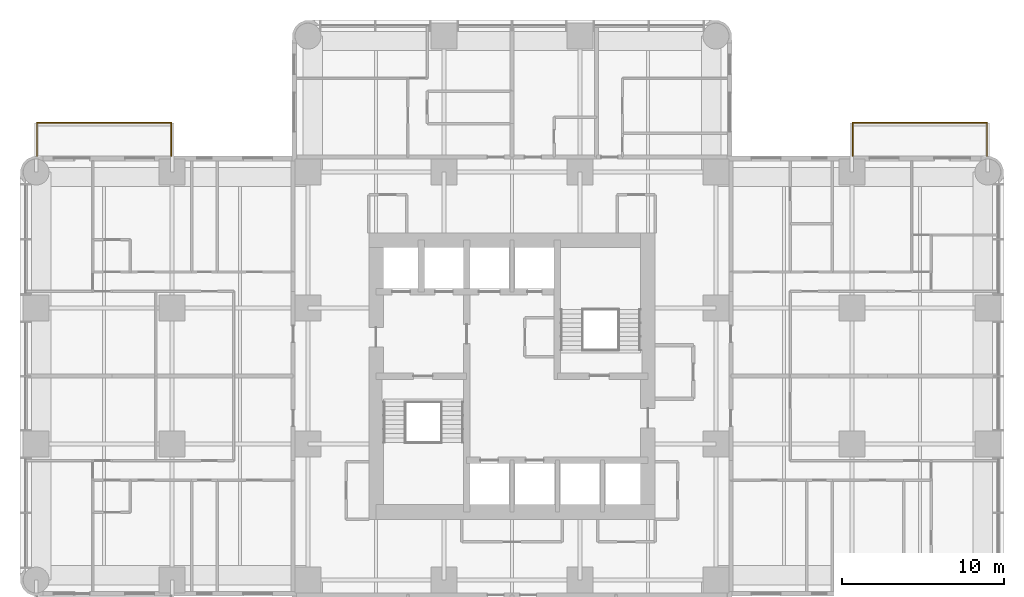
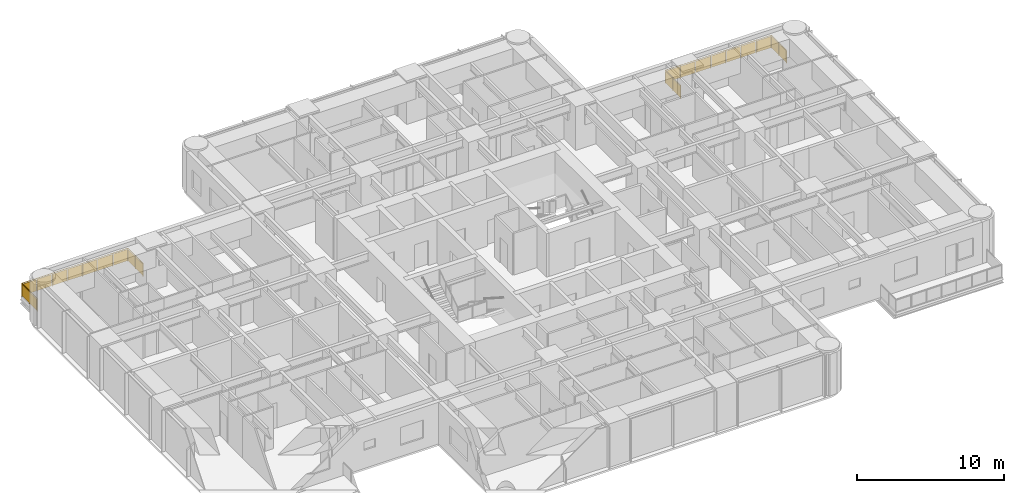
# One storey, part 15 of 15: 2 railings.
"""IFC4 building model written with IfcOpenShell, lengths in metres."""

from ifc_helpers import new_model, si_unit, direction, frame, origin, origin_2d, place, context, subcontext, project, spatial, polyline, circle, outline, extrude, material, constituent, constituent_set, type_object, element, save


model = new_model("IFC4")

# Units and contexts
model_context = context("Model", 3, precision=1e-05, world=origin(), true_north=direction((0.0, 1.0)))
body_context = subcontext(model_context, "Body", "Model", "MODEL_VIEW")
ifc_project = project(units=[si_unit("LENGTHUNIT", "METRE"), si_unit("AREAUNIT", "SQUARE_METRE"), si_unit("VOLUMEUNIT", "CUBIC_METRE"), si_unit("PLANEANGLEUNIT", "RADIAN"), si_unit("MASSUNIT", "GRAM", prefix="KILO")], contexts=[model_context])

# Site, building, storey
site_placement = place(None, origin())
site = spatial("IfcSite", under=ifc_project, at=site_placement, CompositionType="ELEMENT")
building_placement = place(site_placement, origin())
building = spatial("IfcBuilding", under=site, at=building_placement, Name="Torre Alcanfor", CompositionType="ELEMENT")
storey_placement = place(building_placement, frame((0.0, 0.0, 148.5)))
storey = spatial("IfcBuildingStorey", under=building, at=storey_placement, Name="L38", CompositionType="ELEMENT", Elevation=148.5)

# Railings
ifc_material_1 = material(Name="Laminated safety glass", Category="glass")
ifc_constituent_1 = constituent(ifc_material_1, Name="Infill")
ifc_material_2 = material(Name="Stainless steel ASTM A554 Grade MT 316L tube", Category="steel")
ifc_constituent_2 = constituent(ifc_material_2, Name="Posts and rail")
ifc_constituent_set = constituent_set(constituents=[ifc_constituent_1, ifc_constituent_2], Name="Balcony guard glass 1100")
railing_type = type_object("IfcRailingType", Name="Balcony guard glass 1100", PredefinedType="BALUSTRADE", material=ifc_constituent_set)
railing_1_placement = place(storey_placement, frame((50.449951171875, 43.0, 0.0)))
element("IfcRailing", 1, at=railing_1_placement, inside=storey, type_object=railing_type, Name="Balcony guard L38-E1", PredefinedType="BALUSTRADE", context=body_context, shape_type="SweptSolid", body=[
    extrude(circle(Radius=0.02392578125, at=origin_2d()), frame((0.0, 0.0, 1.076171875), z_axis=(0.0, 1.0, 0.0), x_axis=(-1.0, 0.0, 0.0)), (0.0, 0.0, 1.0), 2.050048828125),
    extrude(circle(Radius=0.02392578125, at=origin_2d()), frame((0.0, 2.050048828125, 1.076171875), z_axis=(1.0, 0.0, 0.0), x_axis=(0.0, 1.0, 0.0)), (0.0, 0.0, 1.0), 8.300048828125),
    extrude(circle(Radius=0.02392578125, at=origin_2d()), frame((8.300048828125, 2.050048828125, 1.076171875), z_axis=(0.0, -1.0, 0.0), x_axis=(1.0, 0.0, 0.0)), (0.0, 0.0, 1.0), 2.050048828125),
    extrude(circle(Radius=0.02099609375, at=origin_2d()), origin(), (0.0, 0.0, 1.0), 1.052001953125),
    extrude(circle(Radius=0.02099609375, at=origin_2d()), frame((0.0, 1.02490234375, 0.0)), (0.0, 0.0, 1.0), 1.052001953125),
    extrude(circle(Radius=0.02099609375, at=origin_2d()), frame((0.0, 2.050048828125, 0.0)), (0.0, 0.0, 1.0), 1.052001953125),
    extrude(circle(Radius=0.02099609375, at=origin_2d()), frame((1.185791015625, 2.050048828125, 0.0)), (0.0, 0.0, 1.0), 1.052001953125),
    extrude(circle(Radius=0.02099609375, at=origin_2d()), frame((2.371337890625, 2.050048828125, 0.0)), (0.0, 0.0, 1.0), 1.052001953125),
    extrude(circle(Radius=0.02099609375, at=origin_2d()), frame((3.55712890625, 2.050048828125, 0.0)), (0.0, 0.0, 1.0), 1.052001953125),
    extrude(circle(Radius=0.02099609375, at=origin_2d()), frame((4.742919921875, 2.050048828125, 0.0)), (0.0, 0.0, 1.0), 1.052001953125),
    extrude(circle(Radius=0.02099609375, at=origin_2d()), frame((5.9287109375, 2.050048828125, 0.0)), (0.0, 0.0, 1.0), 1.052001953125),
    extrude(circle(Radius=0.02099609375, at=origin_2d()), frame((7.1142578125, 2.050048828125, 0.0)), (0.0, 0.0, 1.0), 1.052001953125),
    extrude(circle(Radius=0.02099609375, at=origin_2d()), frame((8.300048828125, 2.050048828125, 0.0)), (0.0, 0.0, 1.0), 1.052001953125),
    extrude(circle(Radius=0.02099609375, at=origin_2d()), frame((8.300048828125, 1.02490234375, 0.0)), (0.0, 0.0, 1.0), 1.052001953125),
    extrude(circle(Radius=0.02099609375, at=origin_2d()), frame((8.300048828125, 0.0, 0.0)), (0.0, 0.0, 1.0), 1.052001953125),
    extrude(outline(polyline([(0.041015625, 0.050048828125), (0.984130859375, 0.050048828125), (0.984130859375, 1.001953125), (0.041015625, 1.001953125), (0.041015625, 0.050048828125)])), frame((-0.005859375, 0.0, 0.0), z_axis=(1.0, 0.0, 0.0), x_axis=(0.0, 1.0, 0.0)), (0.0, 0.0, 1.0), 0.011962890625),
    extrude(outline(polyline([(1.06591796875, 0.050048828125), (2.009033203125, 0.050048828125), (2.009033203125, 1.001953125), (1.06591796875, 1.001953125), (1.06591796875, 0.050048828125)])), frame((-0.005859375, 0.0, 0.0), z_axis=(1.0, 0.0, 0.0), x_axis=(0.0, 1.0, 0.0)), (0.0, 0.0, 1.0), 0.011962890625),
    extrude(outline(polyline([(0.041015625, 0.050048828125), (1.144775390625, 0.050048828125), (1.144775390625, 1.001953125), (0.041015625, 1.001953125), (0.041015625, 0.050048828125)])), frame((0.0, 2.05615234375, 0.0), z_axis=(0.0, -1.0, 0.0), x_axis=(1.0, 0.0, 0.0)), (0.0, 0.0, 1.0), 0.011962890625),
    extrude(outline(polyline([(1.226806640625, 0.050048828125), (2.330322265625, 0.050048828125), (2.330322265625, 1.001953125), (1.226806640625, 1.001953125), (1.226806640625, 0.050048828125)])), frame((0.0, 2.05615234375, 0.0), z_axis=(0.0, -1.0, 0.0), x_axis=(1.0, 0.0, 0.0)), (0.0, 0.0, 1.0), 0.011962890625),
    extrude(outline(polyline([(2.412353515625, 0.050048828125), (3.51611328125, 0.050048828125), (3.51611328125, 1.001953125), (2.412353515625, 1.001953125), (2.412353515625, 0.050048828125)])), frame((0.0, 2.05615234375, 0.0), z_axis=(0.0, -1.0, 0.0), x_axis=(1.0, 0.0, 0.0)), (0.0, 0.0, 1.0), 0.011962890625),
    extrude(outline(polyline([(3.59814453125, 0.050048828125), (4.701904296875, 0.050048828125), (4.701904296875, 1.001953125), (3.59814453125, 1.001953125), (3.59814453125, 0.050048828125)])), frame((0.0, 2.05615234375, 0.0), z_axis=(0.0, -1.0, 0.0), x_axis=(1.0, 0.0, 0.0)), (0.0, 0.0, 1.0), 0.011962890625),
    extrude(outline(polyline([(4.783935546875, 0.050048828125), (5.8876953125, 0.050048828125), (5.8876953125, 1.001953125), (4.783935546875, 1.001953125), (4.783935546875, 0.050048828125)])), frame((0.0, 2.05615234375, 0.0), z_axis=(0.0, -1.0, 0.0), x_axis=(1.0, 0.0, 0.0)), (0.0, 0.0, 1.0), 0.011962890625),
    extrude(outline(polyline([(5.9697265625, 0.050048828125), (7.0732421875, 0.050048828125), (7.0732421875, 1.001953125), (5.9697265625, 1.001953125), (5.9697265625, 0.050048828125)])), frame((0.0, 2.05615234375, 0.0), z_axis=(0.0, -1.0, 0.0), x_axis=(1.0, 0.0, 0.0)), (0.0, 0.0, 1.0), 0.011962890625),
    extrude(outline(polyline([(7.1552734375, 0.050048828125), (8.259033203125, 0.050048828125), (8.259033203125, 1.001953125), (7.1552734375, 1.001953125), (7.1552734375, 0.050048828125)])), frame((0.0, 2.05615234375, 0.0), z_axis=(0.0, -1.0, 0.0), x_axis=(1.0, 0.0, 0.0)), (0.0, 0.0, 1.0), 0.011962890625),
    extrude(outline(polyline([(0.041015625, 0.050048828125), (0.984130859375, 0.050048828125), (0.984130859375, 1.001953125), (0.041015625, 1.001953125), (0.041015625, 0.050048828125)])), frame((8.30615234375, 2.050048828125, 0.0), z_axis=(-1.0, 0.0, 0.0), x_axis=(0.0, -1.0, 0.0)), (0.0, 0.0, 1.0), 0.011962890625),
    extrude(outline(polyline([(1.06591796875, 0.050048828125), (2.009033203125, 0.050048828125), (2.009033203125, 1.001953125), (1.06591796875, 1.001953125), (1.06591796875, 0.050048828125)])), frame((8.30615234375, 2.050048828125, 0.0), z_axis=(-1.0, 0.0, 0.0), x_axis=(0.0, -1.0, 0.0)), (0.0, 0.0, 1.0), 0.011962890625),
])
railing_2_placement = place(storey_placement, frame((8.35009765625, 43.0, 0.0)))
element("IfcRailing", 2, at=railing_2_placement, inside=storey, type_object=railing_type, Name="Balcony guard L38-W2", PredefinedType="BALUSTRADE", context=body_context, shape_type="SweptSolid", body=[
    extrude(circle(Radius=0.02392578125, at=origin_2d()), frame((0.0, 0.0, 1.076171875), z_axis=(0.0, 1.0, 0.0), x_axis=(-1.0, 0.0, 0.0)), (0.0, 0.0, 1.0), 2.050048828125),
    extrude(circle(Radius=0.02392578125, at=origin_2d()), frame((0.0, 2.050048828125, 1.076171875), z_axis=(-1.0, 0.0, 0.0), x_axis=(0.0, -1.0, 0.0)), (0.0, 0.0, 1.0), 8.300048828125),
    extrude(circle(Radius=0.02392578125, at=origin_2d()), frame((-8.300048828125, 2.050048828125, 1.076171875), z_axis=(0.0, -1.0, 0.0), x_axis=(1.0, 0.0, 0.0)), (0.0, 0.0, 1.0), 2.050048828125),
    extrude(circle(Radius=0.02099609375, at=origin_2d()), origin(), (0.0, 0.0, 1.0), 1.052001953125),
    extrude(circle(Radius=0.02099609375, at=origin_2d()), frame((0.0, 1.02490234375, 0.0)), (0.0, 0.0, 1.0), 1.052001953125),
    extrude(circle(Radius=0.02099609375, at=origin_2d()), frame((0.0, 2.050048828125, 0.0)), (0.0, 0.0, 1.0), 1.052001953125),
    extrude(circle(Radius=0.02099609375, at=origin_2d()), frame((-1.185791015625, 2.050048828125, 0.0)), (0.0, 0.0, 1.0), 1.052001953125),
    extrude(circle(Radius=0.02099609375, at=origin_2d()), frame((-2.371337890625, 2.050048828125, 0.0)), (0.0, 0.0, 1.0), 1.052001953125),
    extrude(circle(Radius=0.02099609375, at=origin_2d()), frame((-3.55712890625, 2.050048828125, 0.0)), (0.0, 0.0, 1.0), 1.052001953125),
    extrude(circle(Radius=0.02099609375, at=origin_2d()), frame((-4.742919921875, 2.050048828125, 0.0)), (0.0, 0.0, 1.0), 1.052001953125),
    extrude(circle(Radius=0.02099609375, at=origin_2d()), frame((-5.9287109375, 2.050048828125, 0.0)), (0.0, 0.0, 1.0), 1.052001953125),
    extrude(circle(Radius=0.02099609375, at=origin_2d()), frame((-7.1142578125, 2.050048828125, 0.0)), (0.0, 0.0, 1.0), 1.052001953125),
    extrude(circle(Radius=0.02099609375, at=origin_2d()), frame((-8.300048828125, 2.050048828125, 0.0)), (0.0, 0.0, 1.0), 1.052001953125),
    extrude(circle(Radius=0.02099609375, at=origin_2d()), frame((-8.300048828125, 1.02490234375, 0.0)), (0.0, 0.0, 1.0), 1.052001953125),
    extrude(circle(Radius=0.02099609375, at=origin_2d()), frame((-8.300048828125, 0.0, 0.0)), (0.0, 0.0, 1.0), 1.052001953125),
    extrude(outline(polyline([(0.041015625, 0.050048828125), (0.984130859375, 0.050048828125), (0.984130859375, 1.001953125), (0.041015625, 1.001953125), (0.041015625, 0.050048828125)])), frame((-0.005859375, 0.0, 0.0), z_axis=(1.0, 0.0, 0.0), x_axis=(0.0, 1.0, 0.0)), (0.0, 0.0, 1.0), 0.011962890625),
    extrude(outline(polyline([(1.06591796875, 0.050048828125), (2.009033203125, 0.050048828125), (2.009033203125, 1.001953125), (1.06591796875, 1.001953125), (1.06591796875, 0.050048828125)])), frame((-0.005859375, 0.0, 0.0), z_axis=(1.0, 0.0, 0.0), x_axis=(0.0, 1.0, 0.0)), (0.0, 0.0, 1.0), 0.011962890625),
    extrude(outline(polyline([(0.041015625, 0.050048828125), (1.144775390625, 0.050048828125), (1.144775390625, 1.001953125), (0.041015625, 1.001953125), (0.041015625, 0.050048828125)])), frame((0.0, 2.0439453125, 0.0), z_axis=(0.0, 1.0, 0.0), x_axis=(-1.0, 0.0, 0.0)), (0.0, 0.0, 1.0), 0.011962890625),
    extrude(outline(polyline([(1.226806640625, 0.050048828125), (2.330322265625, 0.050048828125), (2.330322265625, 1.001953125), (1.226806640625, 1.001953125), (1.226806640625, 0.050048828125)])), frame((0.0, 2.0439453125, 0.0), z_axis=(0.0, 1.0, 0.0), x_axis=(-1.0, 0.0, 0.0)), (0.0, 0.0, 1.0), 0.011962890625),
    extrude(outline(polyline([(2.412353515625, 0.050048828125), (3.51611328125, 0.050048828125), (3.51611328125, 1.001953125), (2.412353515625, 1.001953125), (2.412353515625, 0.050048828125)])), frame((0.0, 2.0439453125, 0.0), z_axis=(0.0, 1.0, 0.0), x_axis=(-1.0, 0.0, 0.0)), (0.0, 0.0, 1.0), 0.011962890625),
    extrude(outline(polyline([(3.59814453125, 0.050048828125), (4.701904296875, 0.050048828125), (4.701904296875, 1.001953125), (3.59814453125, 1.001953125), (3.59814453125, 0.050048828125)])), frame((0.0, 2.0439453125, 0.0), z_axis=(0.0, 1.0, 0.0), x_axis=(-1.0, 0.0, 0.0)), (0.0, 0.0, 1.0), 0.011962890625),
    extrude(outline(polyline([(4.783935546875, 0.050048828125), (5.8876953125, 0.050048828125), (5.8876953125, 1.001953125), (4.783935546875, 1.001953125), (4.783935546875, 0.050048828125)])), frame((0.0, 2.0439453125, 0.0), z_axis=(0.0, 1.0, 0.0), x_axis=(-1.0, 0.0, 0.0)), (0.0, 0.0, 1.0), 0.011962890625),
    extrude(outline(polyline([(5.9697265625, 0.050048828125), (7.0732421875, 0.050048828125), (7.0732421875, 1.001953125), (5.9697265625, 1.001953125), (5.9697265625, 0.050048828125)])), frame((0.0, 2.0439453125, 0.0), z_axis=(0.0, 1.0, 0.0), x_axis=(-1.0, 0.0, 0.0)), (0.0, 0.0, 1.0), 0.011962890625),
    extrude(outline(polyline([(7.1552734375, 0.050048828125), (8.259033203125, 0.050048828125), (8.259033203125, 1.001953125), (7.1552734375, 1.001953125), (7.1552734375, 0.050048828125)])), frame((0.0, 2.0439453125, 0.0), z_axis=(0.0, 1.0, 0.0), x_axis=(-1.0, 0.0, 0.0)), (0.0, 0.0, 1.0), 0.011962890625),
    extrude(outline(polyline([(0.041015625, 0.050048828125), (0.984130859375, 0.050048828125), (0.984130859375, 1.001953125), (0.041015625, 1.001953125), (0.041015625, 0.050048828125)])), frame((-8.2939453125, 2.050048828125, 0.0), z_axis=(-1.0, 0.0, 0.0), x_axis=(0.0, -1.0, 0.0)), (0.0, 0.0, 1.0), 0.011962890625),
    extrude(outline(polyline([(1.06591796875, 0.050048828125), (2.009033203125, 0.050048828125), (2.009033203125, 1.001953125), (1.06591796875, 1.001953125), (1.06591796875, 0.050048828125)])), frame((-8.2939453125, 2.050048828125, 0.0), z_axis=(-1.0, 0.0, 0.0), x_axis=(0.0, -1.0, 0.0)), (0.0, 0.0, 1.0), 0.011962890625),
])

save(model, "model.ifc")
